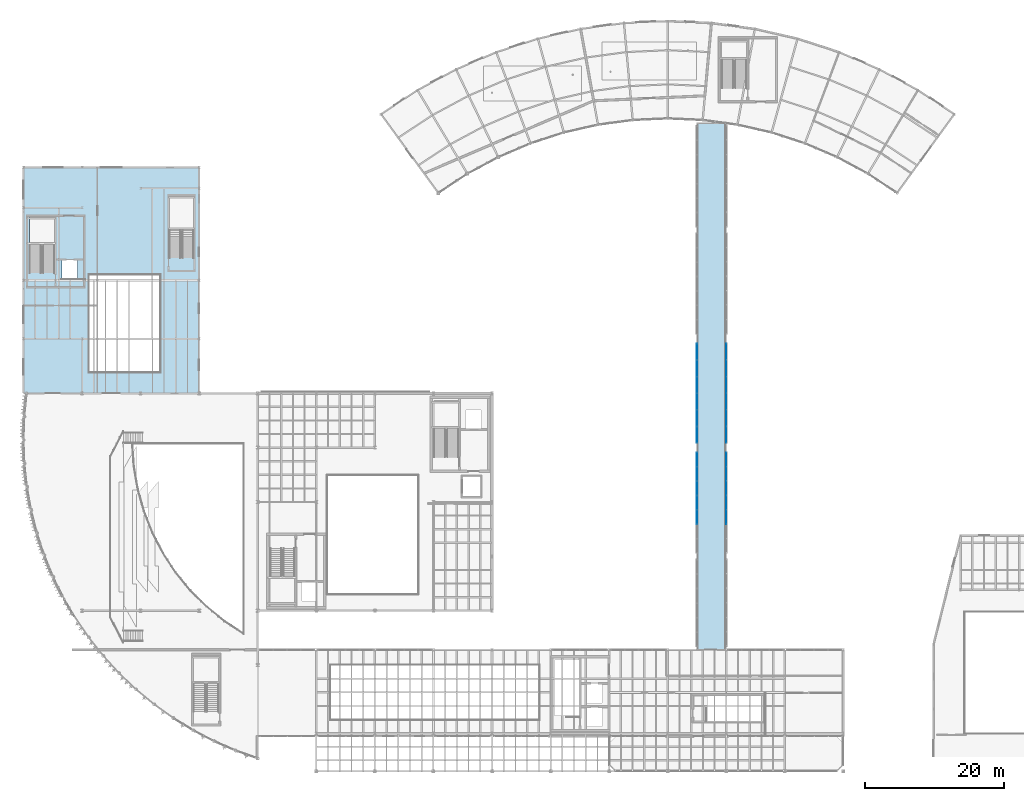
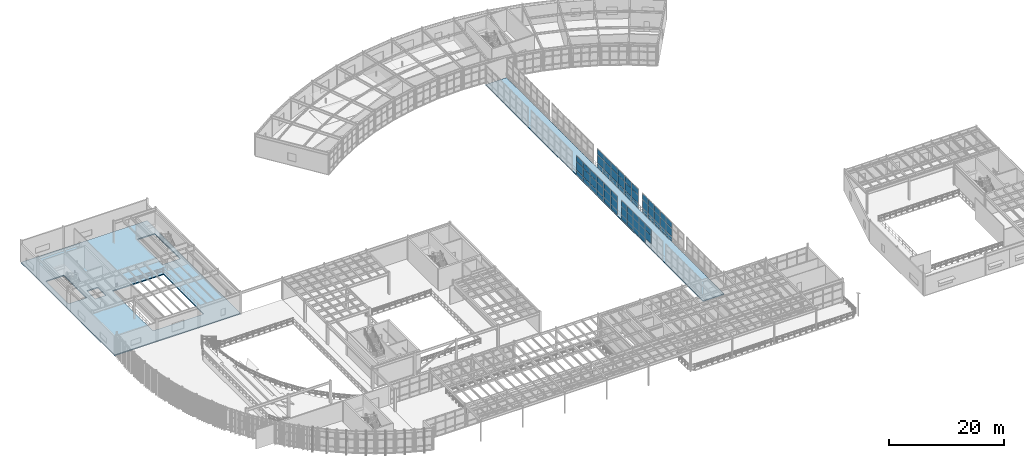
# One storey, part 78 of 105: 65 plates, 2 slabs, 4 elements without a shape of their own.
"""IFC4 building model written with IfcOpenShell, lengths in metres."""

from ifc_helpers import new_model, si_unit, direction, frame, origin, origin_2d, place, context, subcontext, project, spatial, polyline, rectangle, outline, extrude, material, layer, layer_set, type_object, element, aggregate, save


model = new_model("IFC4")

# Units and contexts
model_context = context("Model", 3, precision=1e-05, world=origin(), true_north=direction((0.0, 1.0)))
body_context = subcontext(model_context, "Body", "Model", "MODEL_VIEW")
ifc_project = project(units=[si_unit("LENGTHUNIT", "METRE"), si_unit("AREAUNIT", "SQUARE_METRE"), si_unit("VOLUMEUNIT", "CUBIC_METRE"), si_unit("PLANEANGLEUNIT", "RADIAN"), si_unit("MASSUNIT", "GRAM", prefix="KILO")], contexts=[model_context])

# Site, building, storey
site_placement = place(None, origin())
site = spatial("IfcSite", under=ifc_project, at=site_placement, CompositionType="ELEMENT")
building_placement = place(site_placement, origin())
building = spatial("IfcBuilding", under=site, at=building_placement, Name="Selat Folded Stagehouse", CompositionType="ELEMENT")
storey_placement = place(building_placement, frame((0.0, 0.0, 10.199951171875)))
storey = spatial("IfcBuildingStorey", under=building, at=storey_placement, Name="L02", CompositionType="ELEMENT", Elevation=10.199951171875)

# Curtain wall, plates
ifc_material_1 = material(Name="Aluminium 6063-T6", Category="aluminium")
ifc_layer_1 = layer(ifc_material_1, 0.175048828125)
ifc_layer_set_1 = layer_set([ifc_layer_1], Name="Aluminium 6063-T6")
curtain_wall_type = type_object("IfcCurtainWallType", Name="CW-BRG-GLAZ", PredefinedType="NOTDEFINED", material=ifc_layer_set_1)
curtain_wall_1_placement = place(storey_placement, origin())
curtain_wall_1 = element("IfcCurtainWall", 1, at=curtain_wall_1_placement, inside=storey, type_object=curtain_wall_type, Name="L02 curtain wall CW-BRG-13", PredefinedType="NOTDEFINED")
ifc_material_2 = material(Name="Clear laminated double glazing", Category="glass")
ifc_layer_2 = layer(ifc_material_2, 0.028076171875)
ifc_layer_set_2 = layer_set([ifc_layer_2], Name="Clear laminated double glazing")
plate_type_1 = type_object("IfcPlateType", Name="CWP-GLZ-DGU28", PredefinedType="CURTAIN_PANEL", material=ifc_layer_set_2)
plate_1_placement = place(storey_placement, frame((96.60009765625, 48.65673828125, 0.06494140625), z_axis=(0.0, 0.0, 1.0), x_axis=(0.0, 1.0, 0.0)))
plate_1 = element("IfcPlate", 2, at=plate_1_placement, type_object=plate_type_1, Name="CW-07 panel 1.1", PredefinedType="CURTAIN_PANEL", context=body_context, shape_type="SweptSolid", body=[
    extrude(rectangle(XDim=2.293212890625, YDim=0.028076171875, at=origin_2d()), origin(), (0.0, 0.0, 1.0), 0.952392578125),
])
plate_2_placement = place(storey_placement, frame((96.60009765625, 48.65673828125, 1.08251953125), z_axis=(0.0, 0.0, 1.0), x_axis=(0.0, 1.0, 0.0)))
plate_2 = element("IfcPlate", 3, at=plate_2_placement, type_object=plate_type_1, Name="CW-07 panel 1.2", PredefinedType="CURTAIN_PANEL", context=body_context, shape_type="SweptSolid", body=[
    extrude(rectangle(XDim=2.293212890625, YDim=0.028076171875, at=origin_2d()), origin(), (0.0, 0.0, 1.0), 1.735107421875),
])
plate_3_placement = place(storey_placement, frame((96.60009765625, 48.65673828125, 2.8828125), z_axis=(0.0, 0.0, 1.0), x_axis=(0.0, 1.0, 0.0)))
plate_3 = element("IfcPlate", 4, at=plate_3_placement, type_object=plate_type_1, Name="CW-07 panel 1.3", PredefinedType="CURTAIN_PANEL", context=body_context, shape_type="SweptSolid", body=[
    extrude(rectangle(XDim=2.293212890625, YDim=0.028076171875, at=origin_2d()), origin(), (0.0, 0.0, 1.0), 1.202392578125),
])
plate_4_placement = place(storey_placement, frame((96.60009765625, 51.02490234375, 0.06494140625), z_axis=(0.0, 0.0, 1.0), x_axis=(0.0, 1.0, 0.0)))
plate_4 = element("IfcPlate", 5, at=plate_4_placement, type_object=plate_type_1, Name="CW-07 panel 2.1", PredefinedType="CURTAIN_PANEL", context=body_context, shape_type="SweptSolid", body=[
    extrude(rectangle(XDim=2.3232421875, YDim=0.028076171875, at=origin_2d()), origin(), (0.0, 0.0, 1.0), 0.952392578125),
])
plate_5_placement = place(storey_placement, frame((96.60009765625, 51.02490234375, 1.08251953125), z_axis=(0.0, 0.0, 1.0), x_axis=(0.0, 1.0, 0.0)))
plate_5 = element("IfcPlate", 6, at=plate_5_placement, type_object=plate_type_1, Name="CW-07 panel 2.2", PredefinedType="CURTAIN_PANEL", context=body_context, shape_type="SweptSolid", body=[
    extrude(rectangle(XDim=2.3232421875, YDim=0.028076171875, at=origin_2d()), origin(), (0.0, 0.0, 1.0), 1.735107421875),
])
plate_6_placement = place(storey_placement, frame((96.60009765625, 51.02490234375, 2.8828125), z_axis=(0.0, 0.0, 1.0), x_axis=(0.0, 1.0, 0.0)))
plate_6 = element("IfcPlate", 7, at=plate_6_placement, type_object=plate_type_1, Name="CW-07 panel 2.3", PredefinedType="CURTAIN_PANEL", context=body_context, shape_type="SweptSolid", body=[
    extrude(rectangle(XDim=2.3232421875, YDim=0.028076171875, at=origin_2d()), origin(), (0.0, 0.0, 1.0), 1.202392578125),
])
plate_7_placement = place(storey_placement, frame((96.60009765625, 53.408447265625, 0.06494140625), z_axis=(0.0, 0.0, 1.0), x_axis=(0.0, 1.0, 0.0)))
plate_7 = element("IfcPlate", 8, at=plate_7_placement, type_object=plate_type_1, Name="CW-07 panel 3.1", PredefinedType="CURTAIN_PANEL", context=body_context, shape_type="SweptSolid", body=[
    extrude(rectangle(XDim=2.3232421875, YDim=0.028076171875, at=origin_2d()), origin(), (0.0, 0.0, 1.0), 0.952392578125),
])
plate_8_placement = place(storey_placement, frame((96.60009765625, 53.408447265625, 1.08251953125), z_axis=(0.0, 0.0, 1.0), x_axis=(0.0, 1.0, 0.0)))
plate_8 = element("IfcPlate", 9, at=plate_8_placement, type_object=plate_type_1, Name="CW-07 panel 3.2", PredefinedType="CURTAIN_PANEL", context=body_context, shape_type="SweptSolid", body=[
    extrude(rectangle(XDim=2.3232421875, YDim=0.028076171875, at=origin_2d()), origin(), (0.0, 0.0, 1.0), 1.735107421875),
])
plate_9_placement = place(storey_placement, frame((96.60009765625, 53.408447265625, 2.8828125), z_axis=(0.0, 0.0, 1.0), x_axis=(0.0, 1.0, 0.0)))
plate_9 = element("IfcPlate", 10, at=plate_9_placement, type_object=plate_type_1, Name="CW-07 panel 3.3", PredefinedType="CURTAIN_PANEL", context=body_context, shape_type="SweptSolid", body=[
    extrude(rectangle(XDim=2.3232421875, YDim=0.028076171875, at=origin_2d()), origin(), (0.0, 0.0, 1.0), 1.202392578125),
])
plate_10_placement = place(storey_placement, frame((96.60009765625, 55.791748046875, 0.06494140625), z_axis=(0.0, 0.0, 1.0), x_axis=(0.0, 1.0, 0.0)))
plate_10 = element("IfcPlate", 11, at=plate_10_placement, type_object=plate_type_1, Name="CW-07 panel 4.1", PredefinedType="CURTAIN_PANEL", context=body_context, shape_type="SweptSolid", body=[
    extrude(rectangle(XDim=2.3232421875, YDim=0.028076171875, at=origin_2d()), origin(), (0.0, 0.0, 1.0), 0.952392578125),
])
plate_11_placement = place(storey_placement, frame((96.60009765625, 55.791748046875, 1.08251953125), z_axis=(0.0, 0.0, 1.0), x_axis=(0.0, 1.0, 0.0)))
plate_11 = element("IfcPlate", 12, at=plate_11_placement, type_object=plate_type_1, Name="CW-07 panel 4.2", PredefinedType="CURTAIN_PANEL", context=body_context, shape_type="SweptSolid", body=[
    extrude(rectangle(XDim=2.3232421875, YDim=0.028076171875, at=origin_2d()), origin(), (0.0, 0.0, 1.0), 1.735107421875),
])
plate_12_placement = place(storey_placement, frame((96.60009765625, 55.791748046875, 2.8828125), z_axis=(0.0, 0.0, 1.0), x_axis=(0.0, 1.0, 0.0)))
plate_12 = element("IfcPlate", 13, at=plate_12_placement, type_object=plate_type_1, Name="CW-07 panel 4.3", PredefinedType="CURTAIN_PANEL", context=body_context, shape_type="SweptSolid", body=[
    extrude(rectangle(XDim=2.3232421875, YDim=0.028076171875, at=origin_2d()), origin(), (0.0, 0.0, 1.0), 1.202392578125),
])
plate_13_placement = place(storey_placement, frame((96.60009765625, 58.175048828125, 0.06494140625), z_axis=(0.0, 0.0, 1.0), x_axis=(0.0, 1.0, 0.0)))
plate_13 = element("IfcPlate", 14, at=plate_13_placement, type_object=plate_type_1, Name="CW-07 panel 5.1", PredefinedType="CURTAIN_PANEL", context=body_context, shape_type="SweptSolid", body=[
    extrude(rectangle(XDim=2.3232421875, YDim=0.028076171875, at=origin_2d()), origin(), (0.0, 0.0, 1.0), 0.952392578125),
])
plate_14_placement = place(storey_placement, frame((96.60009765625, 58.175048828125, 1.08251953125), z_axis=(0.0, 0.0, 1.0), x_axis=(0.0, 1.0, 0.0)))
plate_14 = element("IfcPlate", 15, at=plate_14_placement, type_object=plate_type_1, Name="CW-07 panel 5.2", PredefinedType="CURTAIN_PANEL", context=body_context, shape_type="SweptSolid", body=[
    extrude(rectangle(XDim=2.3232421875, YDim=0.028076171875, at=origin_2d()), origin(), (0.0, 0.0, 1.0), 1.735107421875),
])
plate_15_placement = place(storey_placement, frame((96.60009765625, 58.175048828125, 2.8828125), z_axis=(0.0, 0.0, 1.0), x_axis=(0.0, 1.0, 0.0)))
plate_15 = element("IfcPlate", 16, at=plate_15_placement, type_object=plate_type_1, Name="CW-07 panel 5.3", PredefinedType="CURTAIN_PANEL", context=body_context, shape_type="SweptSolid", body=[
    extrude(rectangle(XDim=2.3232421875, YDim=0.028076171875, at=origin_2d()), origin(), (0.0, 0.0, 1.0), 1.202392578125),
])
plate_16_placement = place(storey_placement, frame((96.60009765625, 60.543212890625, 0.06494140625), z_axis=(0.0, 0.0, 1.0), x_axis=(0.0, 1.0, 0.0)))
plate_16 = element("IfcPlate", 17, at=plate_16_placement, type_object=plate_type_1, Name="CW-07 panel 6.1", PredefinedType="CURTAIN_PANEL", context=body_context, shape_type="SweptSolid", body=[
    extrude(rectangle(XDim=2.293212890625, YDim=0.028076171875, at=origin_2d()), origin(), (0.0, 0.0, 1.0), 0.952392578125),
])
plate_17_placement = place(storey_placement, frame((96.60009765625, 60.543212890625, 1.08251953125), z_axis=(0.0, 0.0, 1.0), x_axis=(0.0, 1.0, 0.0)))
plate_17 = element("IfcPlate", 18, at=plate_17_placement, type_object=plate_type_1, Name="CW-07 panel 6.2", PredefinedType="CURTAIN_PANEL", context=body_context, shape_type="SweptSolid", body=[
    extrude(rectangle(XDim=2.293212890625, YDim=0.028076171875, at=origin_2d()), origin(), (0.0, 0.0, 1.0), 1.735107421875),
])
plate_18_placement = place(storey_placement, frame((96.60009765625, 60.543212890625, 2.8828125), z_axis=(0.0, 0.0, 1.0), x_axis=(0.0, 1.0, 0.0)))
plate_18 = element("IfcPlate", 19, at=plate_18_placement, type_object=plate_type_1, Name="CW-07 panel 6.3", PredefinedType="CURTAIN_PANEL", context=body_context, shape_type="SweptSolid", body=[
    extrude(rectangle(XDim=2.293212890625, YDim=0.028076171875, at=origin_2d()), origin(), (0.0, 0.0, 1.0), 1.202392578125),
])
aggregate(curtain_wall_1, [plate_1, plate_2, plate_3, plate_4, plate_5, plate_6, plate_7, plate_8, plate_9, plate_10, plate_11, plate_12, plate_13, plate_14, plate_15, plate_16, plate_17, plate_18])

curtain_wall_2_placement = place(storey_placement, origin())
curtain_wall_2 = element("IfcCurtainWall", 20, at=curtain_wall_2_placement, inside=storey, type_object=curtain_wall_type, Name="L02 curtain wall CW-BRG-17", PredefinedType="NOTDEFINED")
plate_19_placement = place(storey_placement, frame((100.800048828125, 45.099365234375, 0.06494140625), z_axis=(0.0, 0.0, 1.0), x_axis=(0.0, -1.0, 0.0)))
plate_19 = element("IfcPlate", 21, at=plate_19_placement, type_object=plate_type_1, Name="CW-07 panel 1.1", PredefinedType="CURTAIN_PANEL", context=body_context, shape_type="SweptSolid", body=[
    extrude(rectangle(XDim=1.9814453125, YDim=0.028076171875, at=origin_2d()), origin(), (0.0, 0.0, 1.0), 0.952392578125),
])
plate_20_placement = place(storey_placement, frame((100.800048828125, 45.099365234375, 1.08251953125), z_axis=(0.0, 0.0, 1.0), x_axis=(0.0, -1.0, 0.0)))
plate_20 = element("IfcPlate", 22, at=plate_20_placement, type_object=plate_type_1, Name="CW-07 panel 1.2", PredefinedType="CURTAIN_PANEL", context=body_context, shape_type="SweptSolid", body=[
    extrude(rectangle(XDim=1.9814453125, YDim=0.028076171875, at=origin_2d()), origin(), (0.0, 0.0, 1.0), 1.735107421875),
])
plate_21_placement = place(storey_placement, frame((100.800048828125, 45.099365234375, 2.8828125), z_axis=(0.0, 0.0, 1.0), x_axis=(0.0, -1.0, 0.0)))
plate_21 = element("IfcPlate", 23, at=plate_21_placement, type_object=plate_type_1, Name="CW-07 panel 1.3", PredefinedType="CURTAIN_PANEL", context=body_context, shape_type="SweptSolid", body=[
    extrude(rectangle(XDim=1.9814453125, YDim=0.028076171875, at=origin_2d()), origin(), (0.0, 0.0, 1.0), 1.202392578125),
])
plate_22_placement = place(storey_placement, frame((100.800048828125, 43.04296875, 0.06494140625), z_axis=(0.0, 0.0, 1.0), x_axis=(0.0, -1.0, 0.0)))
plate_22 = element("IfcPlate", 24, at=plate_22_placement, type_object=plate_type_1, Name="CW-07 panel 2.1", PredefinedType="CURTAIN_PANEL", context=body_context, shape_type="SweptSolid", body=[
    extrude(rectangle(XDim=2.011474609375, YDim=0.028076171875, at=origin_2d()), origin(), (0.0, 0.0, 1.0), 0.952392578125),
])
plate_23_placement = place(storey_placement, frame((100.800048828125, 43.04296875, 1.08251953125), z_axis=(0.0, 0.0, 1.0), x_axis=(0.0, -1.0, 0.0)))
plate_23 = element("IfcPlate", 25, at=plate_23_placement, type_object=plate_type_1, Name="CW-07 panel 2.2", PredefinedType="CURTAIN_PANEL", context=body_context, shape_type="SweptSolid", body=[
    extrude(rectangle(XDim=2.011474609375, YDim=0.028076171875, at=origin_2d()), origin(), (0.0, 0.0, 1.0), 1.735107421875),
])
plate_24_placement = place(storey_placement, frame((100.800048828125, 43.04296875, 2.8828125), z_axis=(0.0, 0.0, 1.0), x_axis=(0.0, -1.0, 0.0)))
plate_24 = element("IfcPlate", 26, at=plate_24_placement, type_object=plate_type_1, Name="CW-07 panel 2.3", PredefinedType="CURTAIN_PANEL", context=body_context, shape_type="SweptSolid", body=[
    extrude(rectangle(XDim=2.011474609375, YDim=0.028076171875, at=origin_2d()), origin(), (0.0, 0.0, 1.0), 1.202392578125),
])
plate_25_placement = place(storey_placement, frame((100.800048828125, 40.971435546875, 0.06494140625), z_axis=(0.0, 0.0, 1.0), x_axis=(0.0, -1.0, 0.0)))
plate_25 = element("IfcPlate", 27, at=plate_25_placement, type_object=plate_type_1, Name="CW-07 panel 3.1", PredefinedType="CURTAIN_PANEL", context=body_context, shape_type="SweptSolid", body=[
    extrude(rectangle(XDim=2.011474609375, YDim=0.028076171875, at=origin_2d()), origin(), (0.0, 0.0, 1.0), 0.952392578125),
])
plate_26_placement = place(storey_placement, frame((100.800048828125, 40.971435546875, 1.08251953125), z_axis=(0.0, 0.0, 1.0), x_axis=(0.0, -1.0, 0.0)))
plate_26 = element("IfcPlate", 28, at=plate_26_placement, type_object=plate_type_1, Name="CW-07 panel 3.2", PredefinedType="CURTAIN_PANEL", context=body_context, shape_type="SweptSolid", body=[
    extrude(rectangle(XDim=2.011474609375, YDim=0.028076171875, at=origin_2d()), origin(), (0.0, 0.0, 1.0), 1.735107421875),
])
plate_27_placement = place(storey_placement, frame((100.800048828125, 40.971435546875, 2.8828125), z_axis=(0.0, 0.0, 1.0), x_axis=(0.0, -1.0, 0.0)))
plate_27 = element("IfcPlate", 29, at=plate_27_placement, type_object=plate_type_1, Name="CW-07 panel 3.3", PredefinedType="CURTAIN_PANEL", context=body_context, shape_type="SweptSolid", body=[
    extrude(rectangle(XDim=2.011474609375, YDim=0.028076171875, at=origin_2d()), origin(), (0.0, 0.0, 1.0), 1.202392578125),
])
plate_28_placement = place(storey_placement, frame((100.800048828125, 38.89990234375, 0.06494140625), z_axis=(0.0, 0.0, 1.0), x_axis=(0.0, -1.0, 0.0)))
plate_28 = element("IfcPlate", 30, at=plate_28_placement, type_object=plate_type_1, Name="CW-07 panel 4.1", PredefinedType="CURTAIN_PANEL", context=body_context, shape_type="SweptSolid", body=[
    extrude(rectangle(XDim=2.011474609375, YDim=0.028076171875, at=origin_2d()), origin(), (0.0, 0.0, 1.0), 0.952392578125),
])
plate_29_placement = place(storey_placement, frame((100.800048828125, 38.89990234375, 1.08251953125), z_axis=(0.0, 0.0, 1.0), x_axis=(0.0, -1.0, 0.0)))
plate_29 = element("IfcPlate", 31, at=plate_29_placement, type_object=plate_type_1, Name="CW-07 panel 4.2", PredefinedType="CURTAIN_PANEL", context=body_context, shape_type="SweptSolid", body=[
    extrude(rectangle(XDim=2.011474609375, YDim=0.028076171875, at=origin_2d()), origin(), (0.0, 0.0, 1.0), 1.735107421875),
])
plate_30_placement = place(storey_placement, frame((100.800048828125, 38.89990234375, 2.8828125), z_axis=(0.0, 0.0, 1.0), x_axis=(0.0, -1.0, 0.0)))
plate_30 = element("IfcPlate", 32, at=plate_30_placement, type_object=plate_type_1, Name="CW-07 panel 4.3", PredefinedType="CURTAIN_PANEL", context=body_context, shape_type="SweptSolid", body=[
    extrude(rectangle(XDim=2.011474609375, YDim=0.028076171875, at=origin_2d()), origin(), (0.0, 0.0, 1.0), 1.202392578125),
])
plate_31_placement = place(storey_placement, frame((100.800048828125, 36.82861328125, 0.06494140625), z_axis=(0.0, 0.0, 1.0), x_axis=(0.0, -1.0, 0.0)))
plate_31 = element("IfcPlate", 33, at=plate_31_placement, type_object=plate_type_1, Name="CW-07 panel 5.1", PredefinedType="CURTAIN_PANEL", context=body_context, shape_type="SweptSolid", body=[
    extrude(rectangle(XDim=2.011474609375, YDim=0.028076171875, at=origin_2d()), origin(), (0.0, 0.0, 1.0), 0.952392578125),
])
plate_32_placement = place(storey_placement, frame((100.800048828125, 36.82861328125, 1.08251953125), z_axis=(0.0, 0.0, 1.0), x_axis=(0.0, -1.0, 0.0)))
plate_32 = element("IfcPlate", 34, at=plate_32_placement, type_object=plate_type_1, Name="CW-07 panel 5.2", PredefinedType="CURTAIN_PANEL", context=body_context, shape_type="SweptSolid", body=[
    extrude(rectangle(XDim=2.011474609375, YDim=0.028076171875, at=origin_2d()), origin(), (0.0, 0.0, 1.0), 1.735107421875),
])
plate_33_placement = place(storey_placement, frame((100.800048828125, 36.82861328125, 2.8828125), z_axis=(0.0, 0.0, 1.0), x_axis=(0.0, -1.0, 0.0)))
plate_33 = element("IfcPlate", 35, at=plate_33_placement, type_object=plate_type_1, Name="CW-07 panel 5.3", PredefinedType="CURTAIN_PANEL", context=body_context, shape_type="SweptSolid", body=[
    extrude(rectangle(XDim=2.011474609375, YDim=0.028076171875, at=origin_2d()), origin(), (0.0, 0.0, 1.0), 1.202392578125),
])
aggregate(curtain_wall_2, [plate_19, plate_20, plate_21, plate_22, plate_23, plate_24, plate_25, plate_26, plate_27, plate_28, plate_29, plate_30, plate_31, plate_32, plate_33])

curtain_wall_3_placement = place(storey_placement, origin())
curtain_wall_3 = element("IfcCurtainWall", 36, at=curtain_wall_3_placement, inside=storey, type_object=curtain_wall_type, Name="L02 curtain wall CW-BRG-18", PredefinedType="NOTDEFINED")
plate_34_placement = place(storey_placement, frame((100.800048828125, 60.543212890625, 0.06494140625), z_axis=(0.0, 0.0, 1.0), x_axis=(0.0, -1.0, 0.0)))
plate_34 = element("IfcPlate", 37, at=plate_34_placement, type_object=plate_type_1, Name="CW-07 panel 1.1", PredefinedType="CURTAIN_PANEL", context=body_context, shape_type="SweptSolid", body=[
    extrude(rectangle(XDim=2.293212890625, YDim=0.028076171875, at=origin_2d()), origin(), (0.0, 0.0, 1.0), 0.952392578125),
])
plate_35_placement = place(storey_placement, frame((100.800048828125, 60.543212890625, 1.08251953125), z_axis=(0.0, 0.0, 1.0), x_axis=(0.0, -1.0, 0.0)))
plate_35 = element("IfcPlate", 38, at=plate_35_placement, type_object=plate_type_1, Name="CW-07 panel 1.2", PredefinedType="CURTAIN_PANEL", context=body_context, shape_type="SweptSolid", body=[
    extrude(rectangle(XDim=2.293212890625, YDim=0.028076171875, at=origin_2d()), origin(), (0.0, 0.0, 1.0), 1.735107421875),
])
plate_36_placement = place(storey_placement, frame((100.800048828125, 60.543212890625, 2.8828125), z_axis=(0.0, 0.0, 1.0), x_axis=(0.0, -1.0, 0.0)))
plate_36 = element("IfcPlate", 39, at=plate_36_placement, type_object=plate_type_1, Name="CW-07 panel 1.3", PredefinedType="CURTAIN_PANEL", context=body_context, shape_type="SweptSolid", body=[
    extrude(rectangle(XDim=2.293212890625, YDim=0.028076171875, at=origin_2d()), origin(), (0.0, 0.0, 1.0), 1.202392578125),
])
plate_37_placement = place(storey_placement, frame((100.800048828125, 58.175048828125, 0.06494140625), z_axis=(0.0, 0.0, 1.0), x_axis=(0.0, -1.0, 0.0)))
plate_37 = element("IfcPlate", 40, at=plate_37_placement, type_object=plate_type_1, Name="CW-07 panel 2.1", PredefinedType="CURTAIN_PANEL", context=body_context, shape_type="SweptSolid", body=[
    extrude(rectangle(XDim=2.3232421875, YDim=0.028076171875, at=origin_2d()), origin(), (0.0, 0.0, 1.0), 0.952392578125),
])
plate_38_placement = place(storey_placement, frame((100.800048828125, 58.175048828125, 1.08251953125), z_axis=(0.0, 0.0, 1.0), x_axis=(0.0, -1.0, 0.0)))
plate_38 = element("IfcPlate", 41, at=plate_38_placement, type_object=plate_type_1, Name="CW-07 panel 2.2", PredefinedType="CURTAIN_PANEL", context=body_context, shape_type="SweptSolid", body=[
    extrude(rectangle(XDim=2.3232421875, YDim=0.028076171875, at=origin_2d()), origin(), (0.0, 0.0, 1.0), 1.735107421875),
])
plate_39_placement = place(storey_placement, frame((100.800048828125, 58.175048828125, 2.8828125), z_axis=(0.0, 0.0, 1.0), x_axis=(0.0, -1.0, 0.0)))
plate_39 = element("IfcPlate", 42, at=plate_39_placement, type_object=plate_type_1, Name="CW-07 panel 2.3", PredefinedType="CURTAIN_PANEL", context=body_context, shape_type="SweptSolid", body=[
    extrude(rectangle(XDim=2.3232421875, YDim=0.028076171875, at=origin_2d()), origin(), (0.0, 0.0, 1.0), 1.202392578125),
])
plate_40_placement = place(storey_placement, frame((100.800048828125, 55.791748046875, 0.06494140625), z_axis=(0.0, 0.0, 1.0), x_axis=(0.0, -1.0, 0.0)))
plate_40 = element("IfcPlate", 43, at=plate_40_placement, type_object=plate_type_1, Name="CW-07 panel 3.1", PredefinedType="CURTAIN_PANEL", context=body_context, shape_type="SweptSolid", body=[
    extrude(rectangle(XDim=2.3232421875, YDim=0.028076171875, at=origin_2d()), origin(), (0.0, 0.0, 1.0), 0.952392578125),
])
plate_41_placement = place(storey_placement, frame((100.800048828125, 55.791748046875, 1.08251953125), z_axis=(0.0, 0.0, 1.0), x_axis=(0.0, -1.0, 0.0)))
plate_41 = element("IfcPlate", 44, at=plate_41_placement, type_object=plate_type_1, Name="CW-07 panel 3.2", PredefinedType="CURTAIN_PANEL", context=body_context, shape_type="SweptSolid", body=[
    extrude(rectangle(XDim=2.3232421875, YDim=0.028076171875, at=origin_2d()), origin(), (0.0, 0.0, 1.0), 1.735107421875),
])
plate_42_placement = place(storey_placement, frame((100.800048828125, 55.791748046875, 2.8828125), z_axis=(0.0, 0.0, 1.0), x_axis=(0.0, -1.0, 0.0)))
plate_42 = element("IfcPlate", 45, at=plate_42_placement, type_object=plate_type_1, Name="CW-07 panel 3.3", PredefinedType="CURTAIN_PANEL", context=body_context, shape_type="SweptSolid", body=[
    extrude(rectangle(XDim=2.3232421875, YDim=0.028076171875, at=origin_2d()), origin(), (0.0, 0.0, 1.0), 1.202392578125),
])
plate_43_placement = place(storey_placement, frame((100.800048828125, 53.408447265625, 0.06494140625), z_axis=(0.0, 0.0, 1.0), x_axis=(0.0, -1.0, 0.0)))
plate_43 = element("IfcPlate", 46, at=plate_43_placement, type_object=plate_type_1, Name="CW-07 panel 4.1", PredefinedType="CURTAIN_PANEL", context=body_context, shape_type="SweptSolid", body=[
    extrude(rectangle(XDim=2.3232421875, YDim=0.028076171875, at=origin_2d()), origin(), (0.0, 0.0, 1.0), 0.952392578125),
])
plate_44_placement = place(storey_placement, frame((100.800048828125, 53.408447265625, 1.08251953125), z_axis=(0.0, 0.0, 1.0), x_axis=(0.0, -1.0, 0.0)))
plate_44 = element("IfcPlate", 47, at=plate_44_placement, type_object=plate_type_1, Name="CW-07 panel 4.2", PredefinedType="CURTAIN_PANEL", context=body_context, shape_type="SweptSolid", body=[
    extrude(rectangle(XDim=2.3232421875, YDim=0.028076171875, at=origin_2d()), origin(), (0.0, 0.0, 1.0), 1.735107421875),
])
plate_45_placement = place(storey_placement, frame((100.800048828125, 53.408447265625, 2.8828125), z_axis=(0.0, 0.0, 1.0), x_axis=(0.0, -1.0, 0.0)))
plate_45 = element("IfcPlate", 48, at=plate_45_placement, type_object=plate_type_1, Name="CW-07 panel 4.3", PredefinedType="CURTAIN_PANEL", context=body_context, shape_type="SweptSolid", body=[
    extrude(rectangle(XDim=2.3232421875, YDim=0.028076171875, at=origin_2d()), origin(), (0.0, 0.0, 1.0), 1.202392578125),
])
plate_46_placement = place(storey_placement, frame((100.800048828125, 51.02490234375, 0.06494140625), z_axis=(0.0, 0.0, 1.0), x_axis=(0.0, -1.0, 0.0)))
plate_46 = element("IfcPlate", 49, at=plate_46_placement, type_object=plate_type_1, Name="CW-07 panel 5.1", PredefinedType="CURTAIN_PANEL", context=body_context, shape_type="SweptSolid", body=[
    extrude(rectangle(XDim=2.3232421875, YDim=0.028076171875, at=origin_2d()), origin(), (0.0, 0.0, 1.0), 0.952392578125),
])
plate_47_placement = place(storey_placement, frame((100.800048828125, 51.02490234375, 1.08251953125), z_axis=(0.0, 0.0, 1.0), x_axis=(0.0, -1.0, 0.0)))
plate_47 = element("IfcPlate", 50, at=plate_47_placement, type_object=plate_type_1, Name="CW-07 panel 5.2", PredefinedType="CURTAIN_PANEL", context=body_context, shape_type="SweptSolid", body=[
    extrude(rectangle(XDim=2.3232421875, YDim=0.028076171875, at=origin_2d()), origin(), (0.0, 0.0, 1.0), 1.735107421875),
])
plate_48_placement = place(storey_placement, frame((100.800048828125, 51.02490234375, 2.8828125), z_axis=(0.0, 0.0, 1.0), x_axis=(0.0, -1.0, 0.0)))
plate_48 = element("IfcPlate", 51, at=plate_48_placement, type_object=plate_type_1, Name="CW-07 panel 5.3", PredefinedType="CURTAIN_PANEL", context=body_context, shape_type="SweptSolid", body=[
    extrude(rectangle(XDim=2.3232421875, YDim=0.028076171875, at=origin_2d()), origin(), (0.0, 0.0, 1.0), 1.202392578125),
])
plate_49_placement = place(storey_placement, frame((100.800048828125, 48.65673828125, 0.06494140625), z_axis=(0.0, 0.0, 1.0), x_axis=(0.0, -1.0, 0.0)))
plate_49 = element("IfcPlate", 52, at=plate_49_placement, type_object=plate_type_1, Name="CW-07 panel 6.1", PredefinedType="CURTAIN_PANEL", context=body_context, shape_type="SweptSolid", body=[
    extrude(rectangle(XDim=2.293212890625, YDim=0.028076171875, at=origin_2d()), origin(), (0.0, 0.0, 1.0), 0.952392578125),
])
plate_50_placement = place(storey_placement, frame((100.800048828125, 48.65673828125, 1.08251953125), z_axis=(0.0, 0.0, 1.0), x_axis=(0.0, -1.0, 0.0)))
plate_50 = element("IfcPlate", 53, at=plate_50_placement, type_object=plate_type_1, Name="CW-07 panel 6.2", PredefinedType="CURTAIN_PANEL", context=body_context, shape_type="SweptSolid", body=[
    extrude(rectangle(XDim=2.293212890625, YDim=0.028076171875, at=origin_2d()), origin(), (0.0, 0.0, 1.0), 1.735107421875),
])
plate_51_placement = place(storey_placement, frame((100.800048828125, 48.65673828125, 2.8828125), z_axis=(0.0, 0.0, 1.0), x_axis=(0.0, -1.0, 0.0)))
plate_51 = element("IfcPlate", 54, at=plate_51_placement, type_object=plate_type_1, Name="CW-07 panel 6.3", PredefinedType="CURTAIN_PANEL", context=body_context, shape_type="SweptSolid", body=[
    extrude(rectangle(XDim=2.293212890625, YDim=0.028076171875, at=origin_2d()), origin(), (0.0, 0.0, 1.0), 1.202392578125),
])
aggregate(curtain_wall_3, [plate_34, plate_35, plate_36, plate_37, plate_38, plate_39, plate_40, plate_41, plate_42, plate_43, plate_44, plate_45, plate_46, plate_47, plate_48, plate_49, plate_50, plate_51])

curtain_wall_4_placement = place(storey_placement, origin())
curtain_wall_4 = element("IfcCurtainWall", 55, at=curtain_wall_4_placement, inside=storey, type_object=curtain_wall_type, Name="L02 curtain wall CW-BRG-12", PredefinedType="NOTDEFINED")
ifc_material_3 = material(Name="Acoustic insulated spandrel cassette", Category="aluminium")
ifc_layer_3 = layer(ifc_material_3, 0.055908203125)
ifc_layer_set_3 = layer_set([ifc_layer_3], Name="Acoustic insulated spandrel cassette")
plate_type_2 = type_object("IfcPlateType", Name="CWP-SPD-ALU56", PredefinedType="CURTAIN_PANEL", material=ifc_layer_set_3)
plate_52_placement = place(storey_placement, frame((96.60009765625, 36.82861328125, 1.08251953125), z_axis=(0.0, 0.0, 1.0), x_axis=(0.0, 1.0, 0.0)))
plate_52 = element("IfcPlate", 56, at=plate_52_placement, type_object=plate_type_2, Name="CW-07 panel 3.2", PredefinedType="CURTAIN_PANEL", context=body_context, shape_type="SweptSolid", body=[
    extrude(rectangle(XDim=2.011474609375, YDim=0.055908203125, at=origin_2d()), origin(), (0.0, 0.0, 1.0), 1.735107421875),
])
plate_53_placement = place(storey_placement, frame((96.60009765625, 36.82861328125, 2.8828125), z_axis=(0.0, 0.0, 1.0), x_axis=(0.0, 1.0, 0.0)))
plate_53 = element("IfcPlate", 57, at=plate_53_placement, type_object=plate_type_2, Name="CW-07 panel 3.3", PredefinedType="CURTAIN_PANEL", context=body_context, shape_type="SweptSolid", body=[
    extrude(rectangle(XDim=2.011474609375, YDim=0.055908203125, at=origin_2d()), origin(), (0.0, 0.0, 1.0), 1.202392578125),
])
plate_54_placement = place(storey_placement, frame((96.60009765625, 38.89990234375, 0.06494140625), z_axis=(0.0, 0.0, 1.0), x_axis=(0.0, 1.0, 0.0)))
plate_54 = element("IfcPlate", 58, at=plate_54_placement, type_object=plate_type_2, Name="CW-07 panel 4.1", PredefinedType="CURTAIN_PANEL", context=body_context, shape_type="SweptSolid", body=[
    extrude(rectangle(XDim=2.011474609375, YDim=0.055908203125, at=origin_2d()), origin(), (0.0, 0.0, 1.0), 0.952392578125),
])
plate_55_placement = place(storey_placement, frame((96.60009765625, 38.89990234375, 1.08251953125), z_axis=(0.0, 0.0, 1.0), x_axis=(0.0, 1.0, 0.0)))
plate_55 = element("IfcPlate", 59, at=plate_55_placement, type_object=plate_type_2, Name="CW-07 panel 4.2", PredefinedType="CURTAIN_PANEL", context=body_context, shape_type="SweptSolid", body=[
    extrude(rectangle(XDim=2.011474609375, YDim=0.055908203125, at=origin_2d()), origin(), (0.0, 0.0, 1.0), 1.735107421875),
])
plate_56_placement = place(storey_placement, frame((96.60009765625, 38.89990234375, 2.8828125), z_axis=(0.0, 0.0, 1.0), x_axis=(0.0, 1.0, 0.0)))
plate_56 = element("IfcPlate", 60, at=plate_56_placement, type_object=plate_type_2, Name="CW-07 panel 4.3", PredefinedType="CURTAIN_PANEL", context=body_context, shape_type="SweptSolid", body=[
    extrude(rectangle(XDim=2.011474609375, YDim=0.055908203125, at=origin_2d()), origin(), (0.0, 0.0, 1.0), 1.202392578125),
])
plate_57_placement = place(storey_placement, frame((96.60009765625, 40.971435546875, 0.06494140625), z_axis=(0.0, 0.0, 1.0), x_axis=(0.0, 1.0, 0.0)))
plate_57 = element("IfcPlate", 61, at=plate_57_placement, type_object=plate_type_2, Name="CW-07 panel 5.1", PredefinedType="CURTAIN_PANEL", context=body_context, shape_type="SweptSolid", body=[
    extrude(rectangle(XDim=2.011474609375, YDim=0.055908203125, at=origin_2d()), origin(), (0.0, 0.0, 1.0), 0.952392578125),
])
plate_58_placement = place(storey_placement, frame((96.60009765625, 40.971435546875, 1.08251953125), z_axis=(0.0, 0.0, 1.0), x_axis=(0.0, 1.0, 0.0)))
plate_58 = element("IfcPlate", 62, at=plate_58_placement, type_object=plate_type_2, Name="CW-07 panel 5.2", PredefinedType="CURTAIN_PANEL", context=body_context, shape_type="SweptSolid", body=[
    extrude(rectangle(XDim=2.011474609375, YDim=0.055908203125, at=origin_2d()), origin(), (0.0, 0.0, 1.0), 1.735107421875),
])
plate_59_placement = place(storey_placement, frame((96.60009765625, 40.971435546875, 2.8828125), z_axis=(0.0, 0.0, 1.0), x_axis=(0.0, 1.0, 0.0)))
plate_59 = element("IfcPlate", 63, at=plate_59_placement, type_object=plate_type_2, Name="CW-07 panel 5.3", PredefinedType="CURTAIN_PANEL", context=body_context, shape_type="SweptSolid", body=[
    extrude(rectangle(XDim=2.011474609375, YDim=0.055908203125, at=origin_2d()), origin(), (0.0, 0.0, 1.0), 1.202392578125),
])
plate_60_placement = place(storey_placement, frame((96.60009765625, 43.04296875, 0.06494140625), z_axis=(0.0, 0.0, 1.0), x_axis=(0.0, 1.0, 0.0)))
plate_60 = element("IfcPlate", 64, at=plate_60_placement, type_object=plate_type_2, Name="CW-07 panel 6.1", PredefinedType="CURTAIN_PANEL", context=body_context, shape_type="SweptSolid", body=[
    extrude(rectangle(XDim=2.011474609375, YDim=0.055908203125, at=origin_2d()), origin(), (0.0, 0.0, 1.0), 0.952392578125),
])
plate_61_placement = place(storey_placement, frame((96.60009765625, 43.04296875, 1.08251953125), z_axis=(0.0, 0.0, 1.0), x_axis=(0.0, 1.0, 0.0)))
plate_61 = element("IfcPlate", 65, at=plate_61_placement, type_object=plate_type_2, Name="CW-07 panel 6.2", PredefinedType="CURTAIN_PANEL", context=body_context, shape_type="SweptSolid", body=[
    extrude(rectangle(XDim=2.011474609375, YDim=0.055908203125, at=origin_2d()), origin(), (0.0, 0.0, 1.0), 1.735107421875),
])
plate_62_placement = place(storey_placement, frame((96.60009765625, 43.04296875, 2.8828125), z_axis=(0.0, 0.0, 1.0), x_axis=(0.0, 1.0, 0.0)))
plate_62 = element("IfcPlate", 66, at=plate_62_placement, type_object=plate_type_2, Name="CW-07 panel 6.3", PredefinedType="CURTAIN_PANEL", context=body_context, shape_type="SweptSolid", body=[
    extrude(rectangle(XDim=2.011474609375, YDim=0.055908203125, at=origin_2d()), origin(), (0.0, 0.0, 1.0), 1.202392578125),
])
plate_63_placement = place(storey_placement, frame((96.60009765625, 45.099365234375, 0.06494140625), z_axis=(0.0, 0.0, 1.0), x_axis=(0.0, 1.0, 0.0)))
plate_63 = element("IfcPlate", 67, at=plate_63_placement, type_object=plate_type_2, Name="CW-07 panel 7.1", PredefinedType="CURTAIN_PANEL", context=body_context, shape_type="SweptSolid", body=[
    extrude(rectangle(XDim=1.9814453125, YDim=0.055908203125, at=origin_2d()), origin(), (0.0, 0.0, 1.0), 0.952392578125),
])
plate_64_placement = place(storey_placement, frame((96.60009765625, 45.099365234375, 1.08251953125), z_axis=(0.0, 0.0, 1.0), x_axis=(0.0, 1.0, 0.0)))
plate_64 = element("IfcPlate", 68, at=plate_64_placement, type_object=plate_type_2, Name="CW-07 panel 7.2", PredefinedType="CURTAIN_PANEL", context=body_context, shape_type="SweptSolid", body=[
    extrude(rectangle(XDim=1.9814453125, YDim=0.055908203125, at=origin_2d()), origin(), (0.0, 0.0, 1.0), 1.735107421875),
])
plate_65_placement = place(storey_placement, frame((96.60009765625, 45.099365234375, 2.8828125), z_axis=(0.0, 0.0, 1.0), x_axis=(0.0, 1.0, 0.0)))
plate_65 = element("IfcPlate", 69, at=plate_65_placement, type_object=plate_type_2, Name="CW-07 panel 7.3", PredefinedType="CURTAIN_PANEL", context=body_context, shape_type="SweptSolid", body=[
    extrude(rectangle(XDim=1.9814453125, YDim=0.055908203125, at=origin_2d()), origin(), (0.0, 0.0, 1.0), 1.202392578125),
])
aggregate(curtain_wall_4, [plate_52, plate_53, plate_54, plate_55, plate_56, plate_57, plate_58, plate_59, plate_60, plate_61, plate_62, plate_63, plate_64, plate_65])

# Slabs
ifc_material_4 = material(Name="Concrete C40/50", Category="concrete")
ifc_layer_4 = layer(ifc_material_4, 0.2099609375)
ifc_layer_set_4 = layer_set([ifc_layer_4], Name="Concrete C40/50")
slab_type_1 = type_object("IfcSlabType", Name="SLAB-BRG-210", PredefinedType="FLOOR", material=ifc_layer_set_4)
slab_1_placement = place(storey_placement, frame((0.0, 0.0, -0.2099609375)))
element("IfcSlab", 70, at=slab_1_placement, inside=storey, type_object=slab_type_1, Name="L02 V6 floor slab SL-L02-BR2", PredefinedType="FLOOR", context=body_context, shape_type="SweptSolid", body=[
    extrude(outline(polyline([(96.60009765625, 17.800048828125), (100.800048828125, 17.800048828125), (100.800048828125, 93.260009765625), (96.60009765625, 93.260009765625), (96.60009765625, 17.800048828125)])), origin(), (0.0, 0.0, 1.0), 0.2099609375),
])
ifc_layer_5 = layer(ifc_material_4, 0.219970703125)
ifc_layer_set_5 = layer_set([ifc_layer_5], Name="Concrete C40/50")
slab_type_2 = type_object("IfcSlabType", Name="SLAB-FLR-220", PredefinedType="FLOOR", material=ifc_layer_set_5)
slab_2_placement = place(storey_placement, frame((0.0, 0.0, -0.219970703125)))
element("IfcSlab", 71, at=slab_2_placement, inside=storey, type_object=slab_type_2, Name="L02 V4 floor slab SL-L02-V4", PredefinedType="FLOOR", context=body_context, shape_type="SweptSolid", body=[
    extrude(outline(polyline([(0.0, 54.60009765625), (25.199951171875, 54.60009765625), (25.199951171875, 87.0), (0.0, 87.0), (0.0, 54.60009765625)]), holes=[polyline([(19.60009765625, 57.60009765625), (9.39990234375, 57.60009765625), (9.39990234375, 71.60009765625), (19.60009765625, 71.60009765625), (19.60009765625, 57.60009765625)]), polyline([(5.550048828125, 71.0), (5.550048828125, 73.800048828125), (7.75, 73.800048828125), (7.75, 71.0), (5.550048828125, 71.0)]), polyline([(0.85009765625, 72.0), (0.85009765625, 79.919921875), (4.449951171875, 79.919921875), (4.449951171875, 72.0), (0.85009765625, 72.0)]), polyline([(20.89990234375, 74.139892578125), (20.89990234375, 82.949951171875), (24.419921875, 82.949951171875), (24.419921875, 74.139892578125), (20.89990234375, 74.139892578125)])]), origin(), (0.0, 0.0, 1.0), 0.219970703125),
])

save(model, "model.ifc")
